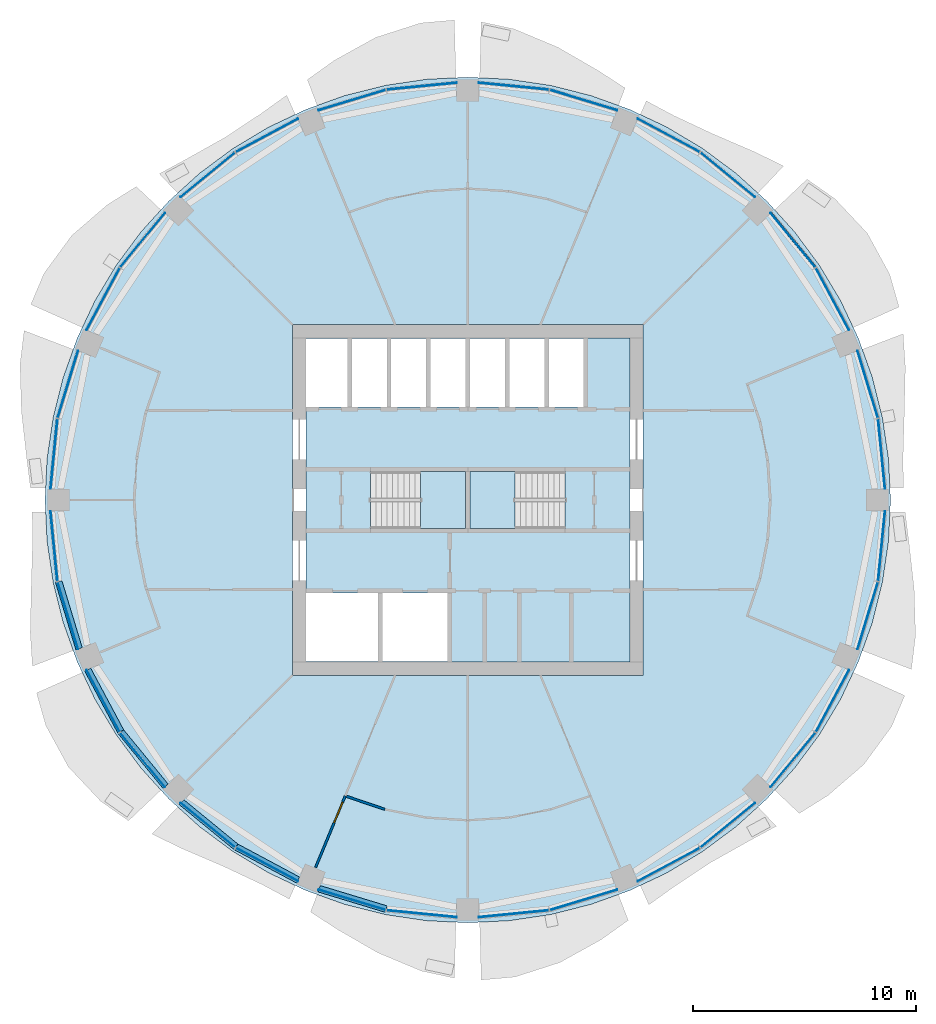
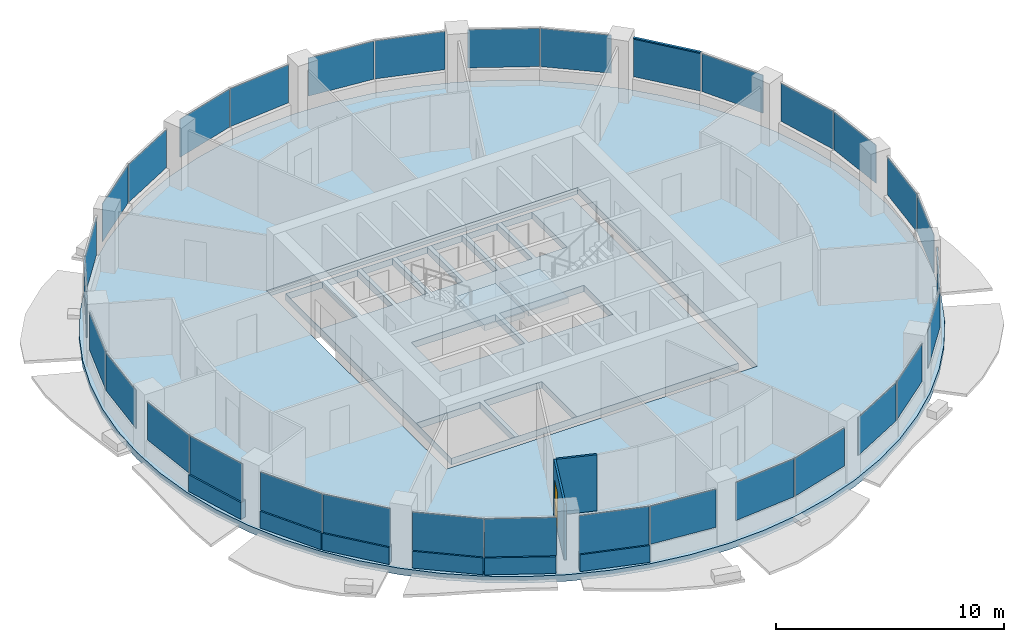
# One storey, part 7 of 15: 32 plates, 8 walls, 4 slabs, 1 door, 1 member, 1 opening, 18 elements without a shape of their own.
"""IFC4 building model written with IfcOpenShell, lengths in metres."""

from ifc_helpers import new_model, si_unit, direction, frame, frame_2d, origin, origin_2d, place, context, subcontext, project, spatial, polyline, rectangle, outline, extrude, material, layer, layer_set, material_profile, profile_set, type_object, element, fill, aggregate, save


model = new_model("IFC4")

# Units and contexts
model_context = context("Model", 3, precision=1e-05, world=origin(), true_north=direction((0.0, 1.0)))
body_context = subcontext(model_context, "Body", "Model", "MODEL_VIEW")
ifc_project = project(units=[si_unit("LENGTHUNIT", "METRE"), si_unit("AREAUNIT", "SQUARE_METRE"), si_unit("VOLUMEUNIT", "CUBIC_METRE"), si_unit("PLANEANGLEUNIT", "RADIAN"), si_unit("MASSUNIT", "GRAM", prefix="KILO")], contexts=[model_context])

# Site, building, storey
site_placement = place(None, origin())
site = spatial("IfcSite", under=ifc_project, at=site_placement, CompositionType="ELEMENT")
building_placement = place(site_placement, origin())
building = spatial("IfcBuilding", under=site, at=building_placement, Name="Polderwave Tower", CompositionType="ELEMENT")
storey_placement = place(building_placement, frame((0.0, 0.0, 131.0)))
storey = spatial("IfcBuildingStorey", under=building, at=storey_placement, Name="L34", CompositionType="ELEMENT", Elevation=131.0)

# Curtain wall, member
ifc_material_1 = material(Name="Aluminium 6063-T6 and glass", Category="aluminium")
curtain_wall_type = type_object("IfcCurtainWallType", Name="Office ribbon glazing wall", PredefinedType="NOTDEFINED", material=ifc_material_1)
curtain_wall_1_placement = place(storey_placement, origin())
curtain_wall_1 = element("IfcCurtainWall", 1, at=curtain_wall_1_placement, inside=storey, type_object=curtain_wall_type, Name="CW3 L34 01", PredefinedType="NOTDEFINED")
ifc_material_2 = material(Name="Aluminium 6063-T6", Category="aluminium")
ifc_material_profile = material_profile(ifc_material_2, rectangle(XDim=0.1201171875, YDim=0.06005859375, at=origin_2d()), Name="AL 60x120")
ifc_profile_set = profile_set([ifc_material_profile], Name="Aluminium 6063-T6")
member_type = type_object("IfcMemberType", Name="Office ribbon glazing transom 60x120", PredefinedType="USERDEFINED", material=ifc_profile_set)
member_placement = place(storey_placement, frame((15.59765625, 10.455322265625, 2.969970703125), z_axis=(-0.634536204131, 0.772893139863, 0.0), x_axis=(-0.772893139863, -0.634536204131, 0.0)))
member = element("IfcMember", 2, at=member_placement, type_object=member_type, Name="CW3 transom 2", ObjectType="TRANSOM", PredefinedType="USERDEFINED", context=body_context, shape_type="SweptSolid", body=[
    extrude(rectangle(XDim=0.1201171875, YDim=0.06005859375, at=origin_2d()), origin(), (0.0, 0.0, 1.0), 3.151611328125),
])

# Slab
ifc_material_3 = material(Name="Concrete C40/50", Category="concrete")
ifc_layer_1 = layer(ifc_material_3, 0.35009765625)
ifc_layer_set_1 = layer_set([ifc_layer_1], Name="Core floor slab 350")
slab_type_1 = type_object("IfcSlabType", Name="Core floor slab 350", PredefinedType="FLOOR", material=ifc_layer_set_1)
slab_1_placement = place(storey_placement, frame((0.0, 0.0, -0.35009765625)))
element("IfcSlab", 3, at=slab_1_placement, inside=storey, type_object=slab_type_1, Name="L34 core floor", PredefinedType="FLOOR", context=body_context, shape_type="SweptSolid", body=[
    extrude(outline(polyline([(-7.27392578125, -7.27392578125), (7.27392578125, -7.27392578125), (7.27392578125, 7.27392578125), (-7.27392578125, 7.27392578125), (-7.27392578125, -7.27392578125)]), holes=[polyline([(-7.25390625, -7.25390625), (-4.037109375, -7.25390625), (-4.037109375, -4.174072265625), (-7.25390625, -4.174072265625), (-7.25390625, -7.25390625)]), polyline([(-3.8369140625, -7.25390625), (-0.89990234375, -7.25390625), (-0.89990234375, -4.174072265625), (-3.8369140625, -4.174072265625), (-3.8369140625, -7.25390625)]), polyline([(-7.25390625, 4.174072265625), (-5.405517578125, 4.174072265625), (-5.405517578125, 7.25390625), (-7.25390625, 7.25390625), (-7.25390625, 4.174072265625)]), polyline([(-5.20556640625, 4.174072265625), (-3.636962890625, 4.174072265625), (-3.636962890625, 7.25390625), (-5.20556640625, 7.25390625), (-5.20556640625, 4.174072265625)]), polyline([(-3.43701171875, 4.174072265625), (-1.868408203125, 4.174072265625), (-1.868408203125, 7.25390625), (-3.43701171875, 7.25390625), (-3.43701171875, 4.174072265625)]), polyline([(-1.66845703125, 4.174072265625), (-0.10009765625, 4.174072265625), (-0.10009765625, 7.25390625), (-1.66845703125, 7.25390625), (-1.66845703125, 4.174072265625)]), polyline([(0.10009765625, 4.174072265625), (1.66845703125, 4.174072265625), (1.66845703125, 7.25390625), (0.10009765625, 7.25390625), (0.10009765625, 4.174072265625)]), polyline([(1.868408203125, 4.174072265625), (3.43701171875, 4.174072265625), (3.43701171875, 7.25390625), (1.868408203125, 7.25390625), (1.868408203125, 4.174072265625)]), polyline([(3.636962890625, 4.174072265625), (5.20556640625, 4.174072265625), (5.20556640625, 7.25390625), (3.636962890625, 7.25390625), (3.636962890625, 4.174072265625)]), polyline([(-4.37353515625, -1.2744140625), (-0.1005859375, -1.2744140625), (-0.1005859375, 1.2744140625), (-4.37353515625, 1.2744140625), (-4.37353515625, -1.2744140625)]), polyline([(0.1005859375, -1.2744140625), (4.37353515625, -1.2744140625), (4.37353515625, 1.2744140625), (0.1005859375, 1.2744140625), (0.1005859375, -1.2744140625)])]), origin(), (0.0, 0.0, 1.0), 0.35009765625),
])

# Curtain wall, plates
curtain_wall_2_placement = place(storey_placement, origin())
curtain_wall_2 = element("IfcCurtainWall", 4, at=curtain_wall_2_placement, inside=storey, type_object=curtain_wall_type, Name="CW3 L34 00", PredefinedType="NOTDEFINED")
ifc_material_4 = material(Name="Glass, low-e laminated double glazing", Category="glass")
ifc_layer_2 = layer(ifc_material_4, 0.031982421875)
ifc_layer_set_2 = layer_set([ifc_layer_2], Name="Office ribbon glazing glass panel 32 mm")
plate_type = type_object("IfcPlateType", Name="Office ribbon glazing glass panel 32 mm", PredefinedType="CURTAIN_PANEL", material=ifc_layer_set_2)
plate_1_placement = place(storey_placement, frame((18.576416015625, 2.068359375, 0.89990234375), z_axis=(0.0, 0.0, 1.0), x_axis=(-0.098133513635, 0.995173258032, 0.0)))
plate_1 = element("IfcPlate", 5, at=plate_1_placement, type_object=plate_type, Name="CW3 panel 1", PredefinedType="CURTAIN_PANEL", context=body_context, shape_type="SweptSolid", body=[
    extrude(rectangle(XDim=3.15185546875, YDim=0.031982421875, at=origin_2d()), origin(), (0.0, 0.0, 1.0), 2.0400390625),
])
plate_2_placement = place(storey_placement, frame((17.95361328125, 5.1982421875, 0.89990234375), z_axis=(0.0, 0.0, 1.0), x_axis=(-0.290348143302, 0.956921081219, 0.0)))
plate_2 = element("IfcPlate", 6, at=plate_2_placement, type_object=plate_type, Name="CW3 panel 2", PredefinedType="CURTAIN_PANEL", context=body_context, shape_type="SweptSolid", body=[
    extrude(rectangle(XDim=3.1513671875, YDim=0.031982421875, at=origin_2d()), origin(), (0.0, 0.0, 1.0), 2.0400390625),
])
aggregate(curtain_wall_2, [plate_1, plate_2])

# Plate
plate_3_placement = place(storey_placement, frame((16.37109375, 9.02001953125, 0.89990234375), z_axis=(0.0, 0.0, 1.0), x_axis=(-0.471453687833, 0.881890821036, 0.0)))
plate_3 = element("IfcPlate", 7, at=plate_3_placement, type_object=plate_type, Name="CW3 panel 1", PredefinedType="CURTAIN_PANEL", context=body_context, shape_type="SweptSolid", body=[
    extrude(rectangle(XDim=3.152099609375, YDim=0.031982421875, at=origin_2d()), origin(), (0.0, 0.0, 1.0), 2.0400390625),
])

plate_4_placement = place(storey_placement, frame((14.597900390625, 11.673095703125, 0.89990234375), z_axis=(0.0, 0.0, 1.0), x_axis=(-0.634505257601, 0.772918545564, 0.0)))
plate_4 = element("IfcPlate", 8, at=plate_4_placement, type_object=plate_type, Name="CW3 panel 2", PredefinedType="CURTAIN_PANEL", context=body_context, shape_type="SweptSolid", body=[
    extrude(rectangle(XDim=3.1513671875, YDim=0.031982421875, at=origin_2d()), origin(), (0.0, 0.0, 1.0), 2.0400390625),
])

aggregate(curtain_wall_1, [member, plate_3, plate_4])

# Curtain wall, plates
curtain_wall_3_placement = place(storey_placement, origin())
curtain_wall_3 = element("IfcCurtainWall", 9, at=curtain_wall_3_placement, inside=storey, type_object=curtain_wall_type, Name="CW3 L34 02", PredefinedType="NOTDEFINED")
plate_5_placement = place(storey_placement, frame((11.673095703125, 14.597900390625, 0.89990234375), z_axis=(0.0, 0.0, 1.0), x_axis=(-0.772918545564, 0.634505257601, 0.0)))
plate_5 = element("IfcPlate", 10, at=plate_5_placement, type_object=plate_type, Name="CW3 panel 1", PredefinedType="CURTAIN_PANEL", context=body_context, shape_type="SweptSolid", body=[
    extrude(rectangle(XDim=3.1513671875, YDim=0.031982421875, at=origin_2d()), origin(), (0.0, 0.0, 1.0), 2.0400390625),
])
plate_6_placement = place(storey_placement, frame((9.02001953125, 16.37109375, 0.89990234375), z_axis=(0.0, 0.0, 1.0), x_axis=(-0.881890821036, 0.471453687833, 0.0)))
plate_6 = element("IfcPlate", 11, at=plate_6_placement, type_object=plate_type, Name="CW3 panel 2", PredefinedType="CURTAIN_PANEL", context=body_context, shape_type="SweptSolid", body=[
    extrude(rectangle(XDim=3.152099609375, YDim=0.031982421875, at=origin_2d()), origin(), (0.0, 0.0, 1.0), 2.0400390625),
])
aggregate(curtain_wall_3, [plate_5, plate_6])

curtain_wall_4_placement = place(storey_placement, origin())
curtain_wall_4 = element("IfcCurtainWall", 12, at=curtain_wall_4_placement, inside=storey, type_object=curtain_wall_type, Name="CW3 L34 03", PredefinedType="NOTDEFINED")
plate_7_placement = place(storey_placement, frame((5.1982421875, 17.95361328125, 0.89990234375), z_axis=(0.0, 0.0, 1.0), x_axis=(-0.956921081219, 0.290348143302, 0.0)))
plate_7 = element("IfcPlate", 13, at=plate_7_placement, type_object=plate_type, Name="CW3 panel 1", PredefinedType="CURTAIN_PANEL", context=body_context, shape_type="SweptSolid", body=[
    extrude(rectangle(XDim=3.1513671875, YDim=0.031982421875, at=origin_2d()), origin(), (0.0, 0.0, 1.0), 2.0400390625),
])
plate_8_placement = place(storey_placement, frame((2.068359375, 18.576416015625, 0.89990234375), z_axis=(0.0, 0.0, 1.0), x_axis=(-0.995173258032, 0.098133513635, 0.0)))
plate_8 = element("IfcPlate", 14, at=plate_8_placement, type_object=plate_type, Name="CW3 panel 2", PredefinedType="CURTAIN_PANEL", context=body_context, shape_type="SweptSolid", body=[
    extrude(rectangle(XDim=3.15185546875, YDim=0.031982421875, at=origin_2d()), origin(), (0.0, 0.0, 1.0), 2.0400390625),
])
aggregate(curtain_wall_4, [plate_7, plate_8])

curtain_wall_5_placement = place(storey_placement, origin())
curtain_wall_5 = element("IfcCurtainWall", 15, at=curtain_wall_5_placement, inside=storey, type_object=curtain_wall_type, Name="CW3 L34 04", PredefinedType="NOTDEFINED")
plate_9_placement = place(storey_placement, frame((-2.068359375, 18.576416015625, 0.89990234375), z_axis=(0.0, 0.0, 1.0), x_axis=(-0.995173258032, -0.098133513635, 0.0)))
plate_9 = element("IfcPlate", 16, at=plate_9_placement, type_object=plate_type, Name="CW3 panel 1", PredefinedType="CURTAIN_PANEL", context=body_context, shape_type="SweptSolid", body=[
    extrude(rectangle(XDim=3.15185546875, YDim=0.031982421875, at=origin_2d()), origin(), (0.0, 0.0, 1.0), 2.0400390625),
])
plate_10_placement = place(storey_placement, frame((-5.1982421875, 17.95361328125, 0.89990234375), z_axis=(0.0, 0.0, 1.0), x_axis=(-0.956921081219, -0.290348143302, 0.0)))
plate_10 = element("IfcPlate", 17, at=plate_10_placement, type_object=plate_type, Name="CW3 panel 2", PredefinedType="CURTAIN_PANEL", context=body_context, shape_type="SweptSolid", body=[
    extrude(rectangle(XDim=3.1513671875, YDim=0.031982421875, at=origin_2d()), origin(), (0.0, 0.0, 1.0), 2.0400390625),
])
aggregate(curtain_wall_5, [plate_9, plate_10])

curtain_wall_6_placement = place(storey_placement, origin())
curtain_wall_6 = element("IfcCurtainWall", 18, at=curtain_wall_6_placement, inside=storey, type_object=curtain_wall_type, Name="CW3 L34 05", PredefinedType="NOTDEFINED")
plate_11_placement = place(storey_placement, frame((-9.02001953125, 16.37109375, 0.89990234375), z_axis=(0.0, 0.0, 1.0), x_axis=(-0.881890821036, -0.471453687833, 0.0)))
plate_11 = element("IfcPlate", 19, at=plate_11_placement, type_object=plate_type, Name="CW3 panel 1", PredefinedType="CURTAIN_PANEL", context=body_context, shape_type="SweptSolid", body=[
    extrude(rectangle(XDim=3.152099609375, YDim=0.031982421875, at=origin_2d()), origin(), (0.0, 0.0, 1.0), 2.0400390625),
])
plate_12_placement = place(storey_placement, frame((-11.673095703125, 14.597900390625, 0.89990234375), z_axis=(0.0, 0.0, 1.0), x_axis=(-0.772918545564, -0.634505257601, 0.0)))
plate_12 = element("IfcPlate", 20, at=plate_12_placement, type_object=plate_type, Name="CW3 panel 2", PredefinedType="CURTAIN_PANEL", context=body_context, shape_type="SweptSolid", body=[
    extrude(rectangle(XDim=3.1513671875, YDim=0.031982421875, at=origin_2d()), origin(), (0.0, 0.0, 1.0), 2.0400390625),
])
aggregate(curtain_wall_6, [plate_11, plate_12])

curtain_wall_7_placement = place(storey_placement, origin())
curtain_wall_7 = element("IfcCurtainWall", 21, at=curtain_wall_7_placement, inside=storey, type_object=curtain_wall_type, Name="CW3 L34 06", PredefinedType="NOTDEFINED")
plate_13_placement = place(storey_placement, frame((-14.597900390625, 11.673095703125, 0.89990234375), z_axis=(0.0, 0.0, 1.0), x_axis=(-0.634505257601, -0.772918545564, 0.0)))
plate_13 = element("IfcPlate", 22, at=plate_13_placement, type_object=plate_type, Name="CW3 panel 1", PredefinedType="CURTAIN_PANEL", context=body_context, shape_type="SweptSolid", body=[
    extrude(rectangle(XDim=3.1513671875, YDim=0.031982421875, at=origin_2d()), origin(), (0.0, 0.0, 1.0), 2.0400390625),
])
plate_14_placement = place(storey_placement, frame((-16.37109375, 9.02001953125, 0.89990234375), z_axis=(0.0, 0.0, 1.0), x_axis=(-0.471453687833, -0.881890821036, 0.0)))
plate_14 = element("IfcPlate", 23, at=plate_14_placement, type_object=plate_type, Name="CW3 panel 2", PredefinedType="CURTAIN_PANEL", context=body_context, shape_type="SweptSolid", body=[
    extrude(rectangle(XDim=3.152099609375, YDim=0.031982421875, at=origin_2d()), origin(), (0.0, 0.0, 1.0), 2.0400390625),
])
aggregate(curtain_wall_7, [plate_13, plate_14])

curtain_wall_8_placement = place(storey_placement, origin())
curtain_wall_8 = element("IfcCurtainWall", 24, at=curtain_wall_8_placement, inside=storey, type_object=curtain_wall_type, Name="CW3 L34 07", PredefinedType="NOTDEFINED")
plate_15_placement = place(storey_placement, frame((-17.95361328125, 5.1982421875, 0.89990234375), z_axis=(0.0, 0.0, 1.0), x_axis=(-0.290348143302, -0.956921081219, 0.0)))
plate_15 = element("IfcPlate", 25, at=plate_15_placement, type_object=plate_type, Name="CW3 panel 1", PredefinedType="CURTAIN_PANEL", context=body_context, shape_type="SweptSolid", body=[
    extrude(rectangle(XDim=3.1513671875, YDim=0.031982421875, at=origin_2d()), origin(), (0.0, 0.0, 1.0), 2.0400390625),
])
plate_16_placement = place(storey_placement, frame((-18.576416015625, 2.068359375, 0.89990234375), z_axis=(0.0, 0.0, 1.0), x_axis=(-0.098133513635, -0.995173258032, 0.0)))
plate_16 = element("IfcPlate", 26, at=plate_16_placement, type_object=plate_type, Name="CW3 panel 2", PredefinedType="CURTAIN_PANEL", context=body_context, shape_type="SweptSolid", body=[
    extrude(rectangle(XDim=3.15185546875, YDim=0.031982421875, at=origin_2d()), origin(), (0.0, 0.0, 1.0), 2.0400390625),
])
aggregate(curtain_wall_8, [plate_15, plate_16])

curtain_wall_9_placement = place(storey_placement, origin())
curtain_wall_9 = element("IfcCurtainWall", 27, at=curtain_wall_9_placement, inside=storey, type_object=curtain_wall_type, Name="CW3 L34 08", PredefinedType="NOTDEFINED")
plate_17_placement = place(storey_placement, frame((-18.576416015625, -2.068359375, 0.89990234375), z_axis=(0.0, 0.0, 1.0), x_axis=(0.098133513635, -0.995173258032, 0.0)))
plate_17 = element("IfcPlate", 28, at=plate_17_placement, type_object=plate_type, Name="CW3 panel 1", PredefinedType="CURTAIN_PANEL", context=body_context, shape_type="SweptSolid", body=[
    extrude(rectangle(XDim=3.15185546875, YDim=0.031982421875, at=origin_2d()), origin(), (0.0, 0.0, 1.0), 2.0400390625),
])
plate_18_placement = place(storey_placement, frame((-17.95361328125, -5.1982421875, 0.89990234375), z_axis=(0.0, 0.0, 1.0), x_axis=(0.290348143302, -0.956921081219, 0.0)))
plate_18 = element("IfcPlate", 29, at=plate_18_placement, type_object=plate_type, Name="CW3 panel 2", PredefinedType="CURTAIN_PANEL", context=body_context, shape_type="SweptSolid", body=[
    extrude(rectangle(XDim=3.1513671875, YDim=0.031982421875, at=origin_2d()), origin(), (0.0, 0.0, 1.0), 2.0400390625),
])
aggregate(curtain_wall_9, [plate_17, plate_18])

curtain_wall_10_placement = place(storey_placement, origin())
curtain_wall_10 = element("IfcCurtainWall", 30, at=curtain_wall_10_placement, inside=storey, type_object=curtain_wall_type, Name="CW3 L34 09", PredefinedType="NOTDEFINED")
plate_19_placement = place(storey_placement, frame((-16.37109375, -9.02001953125, 0.89990234375), z_axis=(0.0, 0.0, 1.0), x_axis=(0.471453687833, -0.881890821036, 0.0)))
plate_19 = element("IfcPlate", 31, at=plate_19_placement, type_object=plate_type, Name="CW3 panel 1", PredefinedType="CURTAIN_PANEL", context=body_context, shape_type="SweptSolid", body=[
    extrude(rectangle(XDim=3.152099609375, YDim=0.031982421875, at=origin_2d()), origin(), (0.0, 0.0, 1.0), 2.0400390625),
])
plate_20_placement = place(storey_placement, frame((-14.597900390625, -11.673095703125, 0.89990234375), z_axis=(0.0, 0.0, 1.0), x_axis=(0.634505257601, -0.772918545564, 0.0)))
plate_20 = element("IfcPlate", 32, at=plate_20_placement, type_object=plate_type, Name="CW3 panel 2", PredefinedType="CURTAIN_PANEL", context=body_context, shape_type="SweptSolid", body=[
    extrude(rectangle(XDim=3.1513671875, YDim=0.031982421875, at=origin_2d()), origin(), (0.0, 0.0, 1.0), 2.0400390625),
])
aggregate(curtain_wall_10, [plate_19, plate_20])

curtain_wall_11_placement = place(storey_placement, origin())
curtain_wall_11 = element("IfcCurtainWall", 33, at=curtain_wall_11_placement, inside=storey, type_object=curtain_wall_type, Name="CW3 L34 10", PredefinedType="NOTDEFINED")
plate_21_placement = place(storey_placement, frame((-11.673095703125, -14.597900390625, 0.89990234375), z_axis=(0.0, 0.0, 1.0), x_axis=(0.772918545564, -0.634505257601, 0.0)))
plate_21 = element("IfcPlate", 34, at=plate_21_placement, type_object=plate_type, Name="CW3 panel 1", PredefinedType="CURTAIN_PANEL", context=body_context, shape_type="SweptSolid", body=[
    extrude(rectangle(XDim=3.1513671875, YDim=0.031982421875, at=origin_2d()), origin(), (0.0, 0.0, 1.0), 2.0400390625),
])
plate_22_placement = place(storey_placement, frame((-9.02001953125, -16.37109375, 0.89990234375), z_axis=(0.0, 0.0, 1.0), x_axis=(0.881890821036, -0.471453687833, 0.0)))
plate_22 = element("IfcPlate", 35, at=plate_22_placement, type_object=plate_type, Name="CW3 panel 2", PredefinedType="CURTAIN_PANEL", context=body_context, shape_type="SweptSolid", body=[
    extrude(rectangle(XDim=3.152099609375, YDim=0.031982421875, at=origin_2d()), origin(), (0.0, 0.0, 1.0), 2.0400390625),
])
aggregate(curtain_wall_11, [plate_21, plate_22])

curtain_wall_12_placement = place(storey_placement, origin())
curtain_wall_12 = element("IfcCurtainWall", 36, at=curtain_wall_12_placement, inside=storey, type_object=curtain_wall_type, Name="CW3 L34 11", PredefinedType="NOTDEFINED")
plate_23_placement = place(storey_placement, frame((-5.1982421875, -17.95361328125, 0.89990234375), z_axis=(0.0, 0.0, 1.0), x_axis=(0.956921081219, -0.290348143302, 0.0)))
plate_23 = element("IfcPlate", 37, at=plate_23_placement, type_object=plate_type, Name="CW3 panel 1", PredefinedType="CURTAIN_PANEL", context=body_context, shape_type="SweptSolid", body=[
    extrude(rectangle(XDim=3.1513671875, YDim=0.031982421875, at=origin_2d()), origin(), (0.0, 0.0, 1.0), 2.0400390625),
])
plate_24_placement = place(storey_placement, frame((-2.068359375, -18.576416015625, 0.89990234375), z_axis=(0.0, 0.0, 1.0), x_axis=(0.995173258032, -0.098133513635, 0.0)))
plate_24 = element("IfcPlate", 38, at=plate_24_placement, type_object=plate_type, Name="CW3 panel 2", PredefinedType="CURTAIN_PANEL", context=body_context, shape_type="SweptSolid", body=[
    extrude(rectangle(XDim=3.15185546875, YDim=0.031982421875, at=origin_2d()), origin(), (0.0, 0.0, 1.0), 2.0400390625),
])
aggregate(curtain_wall_12, [plate_23, plate_24])

curtain_wall_13_placement = place(storey_placement, origin())
curtain_wall_13 = element("IfcCurtainWall", 39, at=curtain_wall_13_placement, inside=storey, type_object=curtain_wall_type, Name="CW3 L34 12", PredefinedType="NOTDEFINED")
plate_25_placement = place(storey_placement, frame((2.068359375, -18.576416015625, 0.89990234375), z_axis=(0.0, 0.0, 1.0), x_axis=(0.995173258032, 0.098133513635, 0.0)))
plate_25 = element("IfcPlate", 40, at=plate_25_placement, type_object=plate_type, Name="CW3 panel 1", PredefinedType="CURTAIN_PANEL", context=body_context, shape_type="SweptSolid", body=[
    extrude(rectangle(XDim=3.15185546875, YDim=0.031982421875, at=origin_2d()), origin(), (0.0, 0.0, 1.0), 2.0400390625),
])
plate_26_placement = place(storey_placement, frame((5.1982421875, -17.95361328125, 0.89990234375), z_axis=(0.0, 0.0, 1.0), x_axis=(0.956921081219, 0.290348143302, 0.0)))
plate_26 = element("IfcPlate", 41, at=plate_26_placement, type_object=plate_type, Name="CW3 panel 2", PredefinedType="CURTAIN_PANEL", context=body_context, shape_type="SweptSolid", body=[
    extrude(rectangle(XDim=3.1513671875, YDim=0.031982421875, at=origin_2d()), origin(), (0.0, 0.0, 1.0), 2.0400390625),
])
aggregate(curtain_wall_13, [plate_25, plate_26])

curtain_wall_14_placement = place(storey_placement, origin())
curtain_wall_14 = element("IfcCurtainWall", 42, at=curtain_wall_14_placement, inside=storey, type_object=curtain_wall_type, Name="CW3 L34 13", PredefinedType="NOTDEFINED")
plate_27_placement = place(storey_placement, frame((9.02001953125, -16.37109375, 0.89990234375), z_axis=(0.0, 0.0, 1.0), x_axis=(0.881890821036, 0.471453687833, 0.0)))
plate_27 = element("IfcPlate", 43, at=plate_27_placement, type_object=plate_type, Name="CW3 panel 1", PredefinedType="CURTAIN_PANEL", context=body_context, shape_type="SweptSolid", body=[
    extrude(rectangle(XDim=3.152099609375, YDim=0.031982421875, at=origin_2d()), origin(), (0.0, 0.0, 1.0), 2.0400390625),
])
plate_28_placement = place(storey_placement, frame((11.673095703125, -14.597900390625, 0.89990234375), z_axis=(0.0, 0.0, 1.0), x_axis=(0.772918545564, 0.634505257601, 0.0)))
plate_28 = element("IfcPlate", 44, at=plate_28_placement, type_object=plate_type, Name="CW3 panel 2", PredefinedType="CURTAIN_PANEL", context=body_context, shape_type="SweptSolid", body=[
    extrude(rectangle(XDim=3.1513671875, YDim=0.031982421875, at=origin_2d()), origin(), (0.0, 0.0, 1.0), 2.0400390625),
])
aggregate(curtain_wall_14, [plate_27, plate_28])

curtain_wall_15_placement = place(storey_placement, origin())
curtain_wall_15 = element("IfcCurtainWall", 45, at=curtain_wall_15_placement, inside=storey, type_object=curtain_wall_type, Name="CW3 L34 14", PredefinedType="NOTDEFINED")
plate_29_placement = place(storey_placement, frame((14.597900390625, -11.673095703125, 0.89990234375), z_axis=(0.0, 0.0, 1.0), x_axis=(0.634505257601, 0.772918545564, 0.0)))
plate_29 = element("IfcPlate", 46, at=plate_29_placement, type_object=plate_type, Name="CW3 panel 1", PredefinedType="CURTAIN_PANEL", context=body_context, shape_type="SweptSolid", body=[
    extrude(rectangle(XDim=3.1513671875, YDim=0.031982421875, at=origin_2d()), origin(), (0.0, 0.0, 1.0), 2.0400390625),
])
plate_30_placement = place(storey_placement, frame((16.37109375, -9.02001953125, 0.89990234375), z_axis=(0.0, 0.0, 1.0), x_axis=(0.471453687833, 0.881890821036, 0.0)))
plate_30 = element("IfcPlate", 47, at=plate_30_placement, type_object=plate_type, Name="CW3 panel 2", PredefinedType="CURTAIN_PANEL", context=body_context, shape_type="SweptSolid", body=[
    extrude(rectangle(XDim=3.152099609375, YDim=0.031982421875, at=origin_2d()), origin(), (0.0, 0.0, 1.0), 2.0400390625),
])
aggregate(curtain_wall_15, [plate_29, plate_30])

curtain_wall_16_placement = place(storey_placement, origin())
curtain_wall_16 = element("IfcCurtainWall", 48, at=curtain_wall_16_placement, inside=storey, type_object=curtain_wall_type, Name="CW3 L34 15", PredefinedType="NOTDEFINED")
plate_31_placement = place(storey_placement, frame((17.95361328125, -5.1982421875, 0.89990234375), z_axis=(0.0, 0.0, 1.0), x_axis=(0.290348143302, 0.956921081219, 0.0)))
plate_31 = element("IfcPlate", 49, at=plate_31_placement, type_object=plate_type, Name="CW3 panel 1", PredefinedType="CURTAIN_PANEL", context=body_context, shape_type="SweptSolid", body=[
    extrude(rectangle(XDim=3.1513671875, YDim=0.031982421875, at=origin_2d()), origin(), (0.0, 0.0, 1.0), 2.0400390625),
])
plate_32_placement = place(storey_placement, frame((18.576416015625, -2.068359375, 0.89990234375), z_axis=(0.0, 0.0, 1.0), x_axis=(0.098133513635, 0.995173258032, 0.0)))
plate_32 = element("IfcPlate", 50, at=plate_32_placement, type_object=plate_type, Name="CW3 panel 2", PredefinedType="CURTAIN_PANEL", context=body_context, shape_type="SweptSolid", body=[
    extrude(rectangle(XDim=3.15185546875, YDim=0.031982421875, at=origin_2d()), origin(), (0.0, 0.0, 1.0), 2.0400390625),
])
aggregate(curtain_wall_16, [plate_31, plate_32])

# Slab
ifc_layer_3 = layer(ifc_material_3, 0.35009765625)
ifc_layer_set_3 = layer_set([ifc_layer_3], Name="PT FLOOR SLAB 350 C40/50")
slab_type_2 = type_object("IfcSlabType", Name="PT FLOOR SLAB 350 C40/50", PredefinedType="FLOOR", material=ifc_layer_set_3)
slab_2_placement = place(storey_placement, frame((0.0, 0.0, -0.35009765625)))
element("IfcSlab", 51, at=slab_2_placement, inside=storey, type_object=slab_type_2, Name="ST-SLAB-L34", PredefinedType="FLOOR", context=body_context, shape_type="SweptSolid", body=[
    extrude(outline(polyline([(18.97998046875, 0.0), (18.888671875, 1.8603515625), (18.615234375, 3.702880859375), (18.16259765625, 5.509521484375), (17.53515625, 7.26318359375), (16.739013671875, 8.947021484375), (15.78125, 10.544677734375), (14.671630859375, 12.040771484375), (13.4208984375, 13.4208984375), (12.040771484375, 14.671630859375), (10.544677734375, 15.78125), (8.947021484375, 16.739013671875), (7.26318359375, 17.53515625), (5.509521484375, 18.16259765625), (3.702880859375, 18.615234375), (1.8603515625, 18.888671875), (0.0, 18.97998046875), (-1.8603515625, 18.888671875), (-3.702880859375, 18.615234375), (-5.509521484375, 18.16259765625), (-7.26318359375, 17.53515625), (-8.947021484375, 16.739013671875), (-10.544677734375, 15.78125), (-12.040771484375, 14.671630859375), (-13.4208984375, 13.4208984375), (-14.671630859375, 12.040771484375), (-15.78125, 10.544677734375), (-16.739013671875, 8.947021484375), (-17.53515625, 7.26318359375), (-18.16259765625, 5.509521484375), (-18.615234375, 3.702880859375), (-18.888671875, 1.8603515625), (-18.97998046875, 0.0), (-18.888671875, -1.8603515625), (-18.615234375, -3.702880859375), (-18.16259765625, -5.509521484375), (-17.53515625, -7.26318359375), (-16.739013671875, -8.947021484375), (-15.78125, -10.544677734375), (-14.671630859375, -12.040771484375), (-13.4208984375, -13.4208984375), (-12.040771484375, -14.671630859375), (-10.544677734375, -15.78125), (-8.947021484375, -16.739013671875), (-7.26318359375, -17.53515625), (-5.509521484375, -18.16259765625), (-3.702880859375, -18.615234375), (-1.8603515625, -18.888671875), (0.0, -18.97998046875), (1.8603515625, -18.888671875), (3.702880859375, -18.615234375), (5.509521484375, -18.16259765625), (7.26318359375, -17.53515625), (8.947021484375, -16.739013671875), (10.544677734375, -15.78125), (12.040771484375, -14.671630859375), (13.4208984375, -13.4208984375), (14.671630859375, -12.040771484375), (15.78125, -10.544677734375), (16.739013671875, -8.947021484375), (17.53515625, -7.26318359375), (18.16259765625, -5.509521484375), (18.615234375, -3.702880859375), (18.888671875, -1.8603515625), (18.97998046875, 0.0)]), holes=[polyline([(-7.8740234375, -7.8740234375), (7.8740234375, -7.8740234375), (7.8740234375, 7.8740234375), (-7.8740234375, 7.8740234375), (-7.8740234375, -7.8740234375)])]), origin(), (0.0, 0.0, 1.0), 0.35009765625),
])

# Stair, slab
stair_type = type_object("IfcStairType", Name="Exit stair 1200 x 20 risers", PredefinedType="HALF_TURN_STAIR", material=ifc_material_3)
stair_1_placement = place(storey_placement, origin())
stair_1 = element("IfcStair", 52, at=stair_1_placement, inside=storey, type_object=stair_type, Name="L34 Exit stair A", PredefinedType="HALF_TURN_STAIR")
ifc_layer_4 = layer(ifc_material_3, 0.300048828125)
ifc_layer_set_4 = layer_set([ifc_layer_4], Name="Stair landing 300")
slab_type_3 = type_object("IfcSlabType", Name="Stair landing 300", PredefinedType="LANDING", material=ifc_layer_set_4)
slab_3_placement = place(storey_placement, frame((0.0, 0.0, 1.375)))
slab_3 = element("IfcSlab", 53, at=slab_3_placement, type_object=slab_type_3, Name="ST-A landing 1", PredefinedType="LANDING", context=body_context, shape_type="SweptSolid", body=[
    extrude(outline(polyline([(-2.1240234375, -1.27490234375), (-0.10009765625, -1.27490234375), (-0.10009765625, 1.27490234375), (-2.1240234375, 1.27490234375), (-2.1240234375, -1.27490234375)])), origin(), (0.0, 0.0, 1.0), 0.300048828125),
])
aggregate(stair_1, [slab_3])

stair_2_placement = place(storey_placement, origin())
stair_2 = element("IfcStair", 54, at=stair_2_placement, inside=storey, type_object=stair_type, Name="L34 Exit stair B", PredefinedType="HALF_TURN_STAIR")
slab_4_placement = place(storey_placement, frame((0.0, 0.0, 1.375)))
slab_4 = element("IfcSlab", 55, at=slab_4_placement, type_object=slab_type_3, Name="ST-B landing 1", PredefinedType="LANDING", context=body_context, shape_type="SweptSolid", body=[
    extrude(outline(polyline([(2.1240234375, 1.27490234375), (0.10009765625, 1.27490234375), (0.10009765625, -1.27490234375), (2.1240234375, -1.27490234375), (2.1240234375, 1.27490234375)])), origin(), (0.0, 0.0, 1.0), 0.300048828125),
])
aggregate(stair_2, [slab_4])

# Walls
ifc_material_5 = material(Name="Concrete C50/60 (board-marked)", Category="concrete")
ifc_layer_5 = layer(ifc_material_5, 0.300048828125)
ifc_layer_set_5 = layer_set([ifc_layer_5], Name="Concrete spandrel upstand C50/60")
wall_type_1 = type_object("IfcWallType", Name="Concrete spandrel upstand C50/60", PredefinedType="SOLIDWALL", material=ifc_layer_set_5)
wall_1_placement = place(storey_placement, frame((-18.365478515625, -3.66845703125, 0.0), z_axis=(0.0, 0.0, 1.0), x_axis=(0.290434573745, -0.956894852308, 0.0)))
element("IfcWall", 56, at=wall_1_placement, inside=storey, type_object=wall_type_1, Name="Spandrel L34 9b", PredefinedType="SOLIDWALL", context=body_context, shape_type="SweptSolid", body=[
    extrude(rectangle(XDim=3.140380859375, YDim=0.300048828125, at=frame_2d((1.5703125, 0.0))), origin(), (0.0, 0.0, 1.0), 0.89990234375),
])
for number, where, z_axis, x_axis, name in (
    (57, (-17.060791015625, -7.623291015625, 0.0), (0.0, 0.0, 1.0), (0.471487773873, -0.881872597991, 0.0), "Spandrel L34 10a"),
    (58, (-15.5634765625, -10.41748046875, 0.0), (0.0, 0.0, 1.0), (0.634270150579, -0.773111490074, 0.0), "Spandrel L34 10b"),
    (59, (-12.845458984375, -13.571533203125, 0.0), (0.0, 0.0, 1.0), (0.773111490074, -0.634270150579, 0.0), "Spandrel L34 11a"),
    (60, (-10.392822265625, -15.580078125, 0.0), (0.0, 0.0, 1.0), (0.881872597991, -0.471487773873, 0.0), "Spandrel L34 11b"),
):
    element("IfcWall", number, at=place(storey_placement, frame(where, z_axis=z_axis, x_axis=x_axis)), inside=storey, type_object=wall_type_1, Name=name, PredefinedType="SOLIDWALL", context=body_context, shape_type="SweptSolid", body=[
        extrude(rectangle(XDim=3.140625, YDim=0.300048828125, at=frame_2d((1.5703125, 0.0))), origin(), (0.0, 0.0, 1.0), 0.89990234375),
    ])
wall_2_placement = place(storey_placement, frame((-6.673583984375, -17.453369140625, 0.0), z_axis=(0.0, 0.0, 1.0), x_axis=(0.956894852308, -0.290434573745, 0.0)))
element("IfcWall", 61, at=wall_2_placement, inside=storey, type_object=wall_type_1, Name="Spandrel L34 12a", PredefinedType="SOLIDWALL", context=body_context, shape_type="SweptSolid", body=[
    extrude(rectangle(XDim=3.140380859375, YDim=0.300048828125, at=frame_2d((1.5703125, 0.0))), origin(), (0.0, 0.0, 1.0), 0.89990234375),
])

# Wall, opening, door
ifc_material_6 = material(Name="Plasterboard on steel studs", Category="steel")
ifc_layer_6 = layer(ifc_material_6, 0.10009765625)
ifc_layer_set_6 = layer_set([ifc_layer_6], Name="Partition 100 mm plasterboard on steel studs")
wall_type_2 = type_object("IfcWallType", Name="Partition 100 mm plasterboard on steel studs", PredefinedType="PARTITIONING", material=ifc_layer_set_6)
wall_3_placement = place(storey_placement, frame((-5.5029296875, -13.285400390625, 0.0), z_axis=(0.0, 0.0, 1.0), x_axis=(-0.382681133009, -0.923880484932, 0.0)))
wall_3 = element("IfcWall", 62, at=wall_3_placement, inside=storey, type_object=wall_type_2, Name="IN-L34-W042", PredefinedType="PARTITIONING", context=body_context, shape_type="SweptSolid", body=[
    extrude(rectangle(XDim=3.469970703125, YDim=0.10009765625, at=frame_2d((1.73486328125, 0.0))), origin(), (0.0, 0.0, 1.0), 3.0),
])
opening_placement = place(wall_3_placement, frame((0.300048828125, 0.0, 0.0)))
opening = element("IfcOpeningElement", 63, at=opening_placement, cuts=wall_3, Name="Opening L34-D65", PredefinedType="OPENING", context=body_context, shape_type="SweptSolid", body=[
    extrude(rectangle(XDim=1.0, YDim=2.10009765625, at=frame_2d((0.5, 1.050048828125))), frame((0.0, 0.06005859375, 0.0), z_axis=(0.0, -1.0, 0.0), x_axis=(1.0, 0.0, 0.0)), (0.0, 0.0, 1.0), 0.1201171875),
])
ifc_material_7 = material(Name="Timber veneer door leaf", Category="wood")
door_type = type_object("IfcDoorType", Name="Single door 1000 x 2100", OperationType="NOTDEFINED", PredefinedType="DOOR", material=ifc_material_7)
door_placement = place(opening_placement, origin())
door = element("IfcDoor", 64, at=door_placement, inside=storey, type_object=door_type, Name="Door L34-D65", OperationType="SINGLE_SWING_LEFT", OverallHeight=2.10009765625, OverallWidth=1.0, PredefinedType="DOOR", context=body_context, shape_type="SweptSolid", body=[
    extrude(rectangle(XDim=1.0, YDim=2.10009765625, at=frame_2d((0.5, 1.050048828125))), frame((0.0, 0.02490234375, 0.0), z_axis=(0.0, -1.0, 0.0), x_axis=(1.0, 0.0, 0.0)), (0.0, 0.0, 1.0), 0.050048828125),
])
fill(opening, door)

# Wall
ifc_material_8 = material(Name="Moisture-resistant board on steel studs, tiled", Category="steel")
ifc_layer_7 = layer(ifc_material_8, 0.10498046875)
ifc_layer_set_7 = layer_set([ifc_layer_7], Name="Partition 105 mm wet room board and tile")
wall_type_3 = type_object("IfcWallType", Name="Partition 105 mm wet room board and tile", PredefinedType="PARTITIONING", material=ifc_layer_set_7)
wall_4_placement = place(storey_placement, frame((-3.72509765625, -13.888916015625, 0.0), z_axis=(0.0, 0.0, 1.0), x_axis=(-0.946940097315, 0.321410099556, 0.0)))
element("IfcWall", 65, at=wall_4_placement, inside=storey, type_object=wall_type_3, Name="IN-L34-W043", PredefinedType="PARTITIONING", context=body_context, shape_type="SweptSolid", body=[
    extrude(rectangle(XDim=1.821533203125, YDim=0.10498046875, at=frame_2d((0.91064453125, 0.0))), origin(), (0.0, 0.0, 1.0), 3.0),
])

save(model, "model.ifc")
